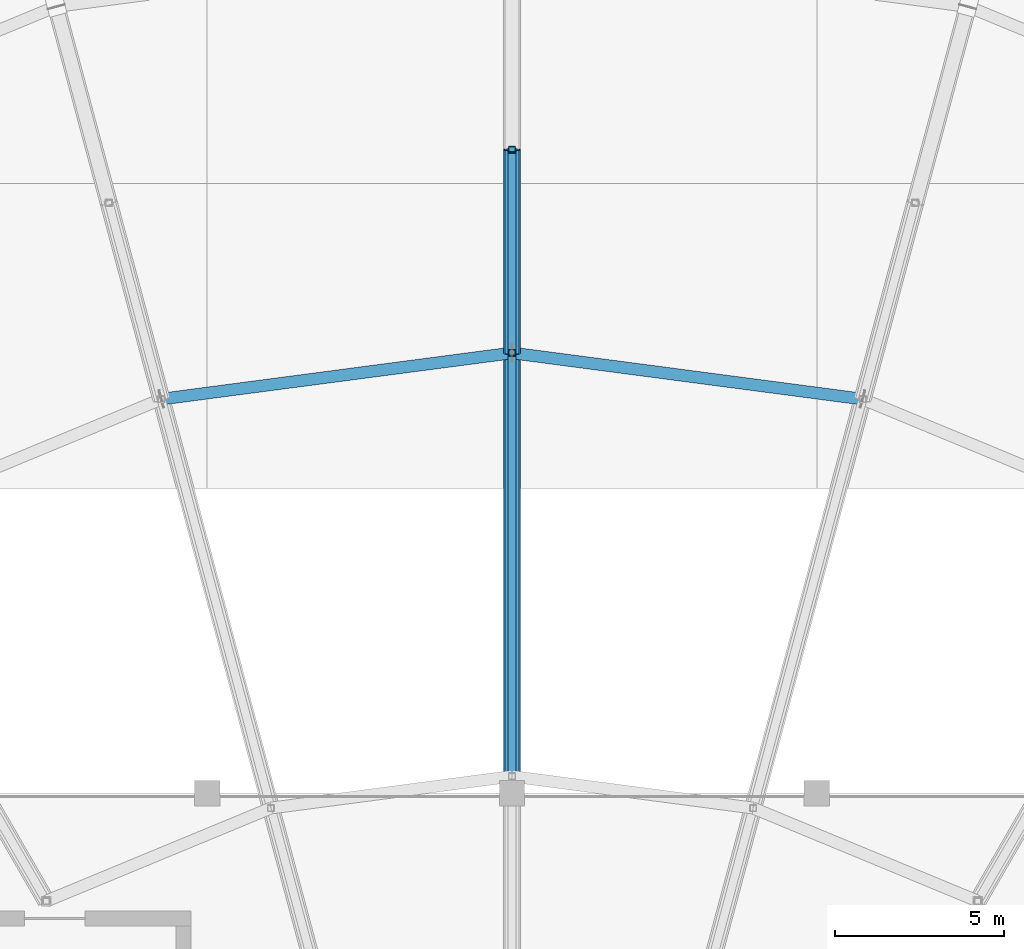
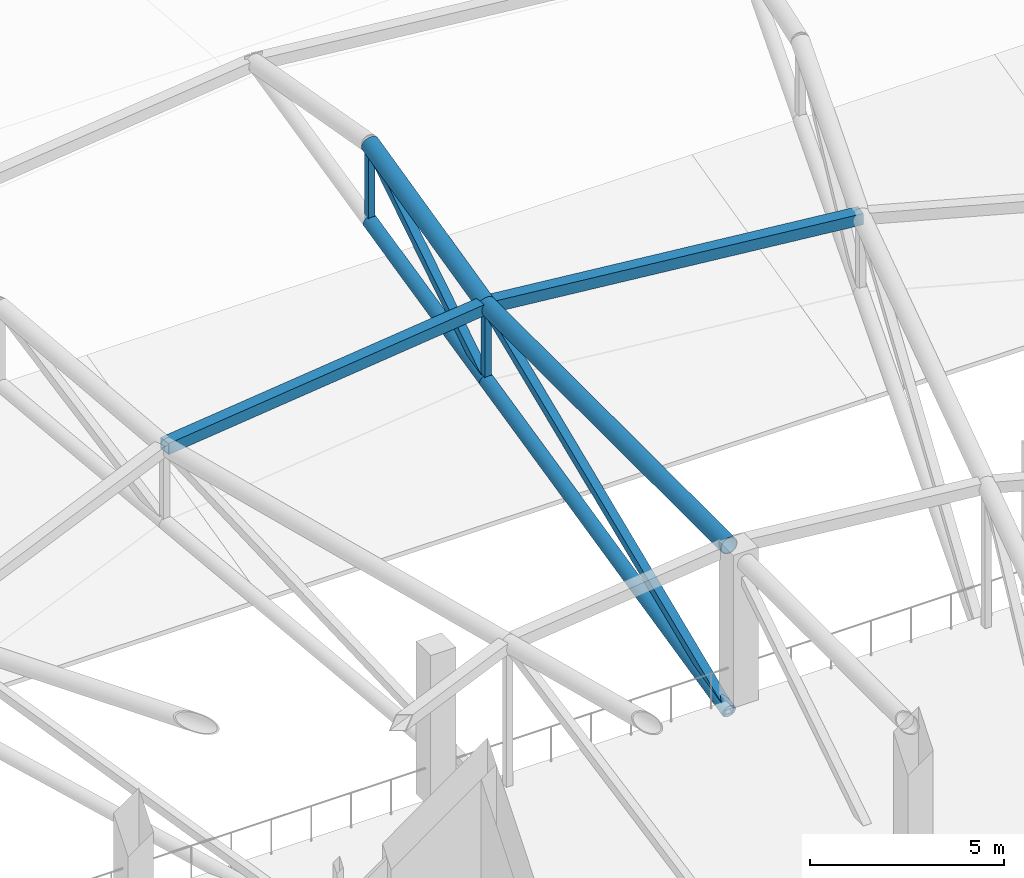
# One storey, part 77 of 167: 10 members.
"""IFC4 building model written with IfcOpenShell, lengths in metres."""

from ifc_helpers import new_model, si_unit, direction, frame, origin, origin_2d, place, context, subcontext, project, spatial, hollow_rectangle, hollow_circle, extrude, material, material_profile, profile_set, type_object, element, save


model = new_model("IFC4")

# Units and contexts
model_context = context("Model", 3, precision=1e-05, world=origin(), true_north=direction((0.0, 1.0)))
body_context = subcontext(model_context, "Body", "Model", "MODEL_VIEW")
ifc_project = project(units=[si_unit("LENGTHUNIT", "METRE"), si_unit("AREAUNIT", "SQUARE_METRE"), si_unit("VOLUMEUNIT", "CUBIC_METRE"), si_unit("PLANEANGLEUNIT", "RADIAN"), si_unit("MASSUNIT", "GRAM", prefix="KILO")], contexts=[model_context])

# Site, building, storey
site_placement = place(None, origin())
site = spatial("IfcSite", under=ifc_project, at=site_placement, CompositionType="ELEMENT")
building_placement = place(site_placement, origin())
building = spatial("IfcBuilding", under=site, at=building_placement, Name="Dornveld Trade and Exhibition Forum", CompositionType="ELEMENT")
storey_placement = place(building_placement, frame((0.0, 0.0, 16.800048828125)))
storey = spatial("IfcBuildingStorey", under=building, at=storey_placement, Name="L03", CompositionType="ELEMENT", Elevation=16.800048828125)

# Members
ifc_material_1 = material(Name="Steel S355J2", Category="steel")
ifc_material_profile_1 = material_profile(ifc_material_1, hollow_circle(Radius=0.203125, WallThickness=0.02001953125, at=origin_2d()), Name="CHS 406.4x20")
ifc_profile_set_1 = profile_set([ifc_material_profile_1], Name="Steel S355J2")
member_type_1 = type_object("IfcMemberType", Name="MEM-DISC-BC", PredefinedType="CHORD", material=ifc_profile_set_1)
member_1_placement = place(storey_placement, frame((117.0, 108.5, -0.76220703125), z_axis=(0.0, 0.975183720687, 0.221397179087), x_axis=(-1.0, 0.0, 0.0)))
element("IfcMember", 1, at=member_1_placement, inside=storey, type_object=member_type_1, Name="Roof disc radial R07 conical bottom chord 2", PredefinedType="CHORD", context=body_context, shape_type="SweptSolid", body=[
    extrude(hollow_circle(Radius=0.203125, WallThickness=0.02001953125, at=origin_2d()), origin(), (0.0, 0.0, 1.0), 12.818115234375),
])
member_2_placement = place(storey_placement, frame((117.0, 121.0, 2.07568359375), z_axis=(0.0, 0.975188175401, 0.221377556582), x_axis=(-1.0, 0.0, 0.0)))
element("IfcMember", 2, at=member_2_placement, inside=storey, type_object=member_type_1, Name="Roof disc radial R07 conical bottom chord 3", PredefinedType="CHORD", context=body_context, shape_type="SweptSolid", body=[
    extrude(hollow_circle(Radius=0.203125, WallThickness=0.02001953125, at=origin_2d()), origin(), (0.0, 0.0, 1.0), 6.152587890625),
])
ifc_material_2 = material(Name="Steel S355J2", Category="steel")
ifc_material_profile_2 = material_profile(ifc_material_2, hollow_rectangle(XDim=0.35009765625, YDim=0.35009765625, WallThickness=0.01611328125, at=origin_2d()), Name="SHS 350x350x16")
ifc_profile_set_2 = profile_set([ifc_material_profile_2], Name="Steel S355J2")
member_type_2 = type_object("IfcMemberType", Name="MEM-DISC-RING", PredefinedType="CHORD", material=ifc_profile_set_2)
for number, where, z_axis, x_axis, name in (
    (3, (127.352783203125, 119.636962890625, 4.449951171875), (-0.991444026761, 0.130532531574, 0.0), (-0.130532531574, -0.991444026761, 0.0), "Roof disc ring 3 chord 6"),
    (4, (117.0, 121.0, 4.449951171875), (-0.991444026761, -0.130532531574, 0.0), (0.130532531574, -0.991444026761, 0.0), "Roof disc ring 3 chord 7"),
):
    element("IfcMember", number, at=place(storey_placement, frame(where, z_axis=z_axis, x_axis=x_axis)), inside=storey, type_object=member_type_2, Name=name, PredefinedType="CHORD", context=body_context, shape_type="SweptSolid", body=[
        extrude(hollow_rectangle(XDim=0.35009765625, YDim=0.35009765625, WallThickness=0.01611328125, at=origin_2d()), origin(), (0.0, 0.0, 1.0), 10.442138671875),
    ])
ifc_material_3 = material(Name="Steel S355J2", Category="steel")
ifc_material_profile_3 = material_profile(ifc_material_3, hollow_rectangle(XDim=0.199951171875, YDim=0.199951171875, WallThickness=0.010009765625, at=origin_2d()), Name="SHS 200x200x10")
ifc_profile_set_3 = profile_set([ifc_material_profile_3], Name="Steel S355J2")
member_type_3 = type_object("IfcMemberType", Name="MEM-DISC-STR", PredefinedType="STRUT", material=ifc_profile_set_3)
member_3_placement = place(storey_placement, frame((117.0, 121.0, 2.07568359375), z_axis=(0.0, 0.0, 1.0), x_axis=(1.0, 0.0, 0.0)))
element("IfcMember", 5, at=member_3_placement, inside=storey, type_object=member_type_3, Name="Roof disc radial R07 strut 3", PredefinedType="STRUT", context=body_context, shape_type="SweptSolid", body=[
    extrude(hollow_rectangle(XDim=0.199951171875, YDim=0.199951171875, WallThickness=0.010009765625, at=origin_2d()), origin(), (0.0, 0.0, 1.0), 2.374267578125),
])
member_4_placement = place(storey_placement, frame((117.0, 127.0, 3.437744140625), z_axis=(0.0, 0.0, 1.0), x_axis=(1.0, 0.0, 0.0)))
element("IfcMember", 6, at=member_4_placement, inside=storey, type_object=member_type_3, Name="Roof disc radial R07 strut 4", PredefinedType="STRUT", context=body_context, shape_type="SweptSolid", body=[
    extrude(hollow_rectangle(XDim=0.199951171875, YDim=0.199951171875, WallThickness=0.010009765625, at=origin_2d()), origin(), (0.0, 0.0, 1.0), 2.437255859375),
])
ifc_material_4 = material(Name="Steel S355J2", Category="steel")
ifc_material_profile_4 = material_profile(ifc_material_4, hollow_circle(Radius=0.25390625, WallThickness=0.02490234375, at=origin_2d()), Name="CHS 508x25")
ifc_profile_set_4 = profile_set([ifc_material_profile_4], Name="Steel S355J2")
member_type_4 = type_object("IfcMemberType", Name="MEM-DISC-TC", PredefinedType="CHORD", material=ifc_profile_set_4)
member_5_placement = place(storey_placement, frame((117.0, 108.5, 4.449951171875), z_axis=(0.0, 1.0, 0.0), x_axis=(-1.0, 0.0, 0.0)))
element("IfcMember", 7, at=member_5_placement, inside=storey, type_object=member_type_4, Name="Roof disc radial R07 top chord 2", PredefinedType="CHORD", context=body_context, shape_type="SweptSolid", body=[
    extrude(hollow_circle(Radius=0.25390625, WallThickness=0.02490234375, at=origin_2d()), origin(), (0.0, 0.0, 1.0), 12.5),
])
member_6_placement = place(storey_placement, frame((117.0, 121.0, 4.449951171875), z_axis=(0.0, 0.972934770629, 0.231079925788), x_axis=(-1.0, 0.0, 0.0)))
element("IfcMember", 8, at=member_6_placement, inside=storey, type_object=member_type_4, Name="Roof disc radial R07 top chord 3", PredefinedType="CHORD", context=body_context, shape_type="SweptSolid", body=[
    extrude(hollow_circle(Radius=0.25390625, WallThickness=0.02490234375, at=origin_2d()), origin(), (0.0, 0.0, 1.0), 6.1669921875),
])
ifc_material_5 = material(Name="Steel S355J2", Category="steel")
ifc_material_profile_5 = material_profile(ifc_material_5, hollow_rectangle(XDim=0.25, YDim=0.25, WallThickness=0.012451171875, at=origin_2d()), Name="SHS 250x250x12.5")
ifc_profile_set_5 = profile_set([ifc_material_profile_5], Name="Steel S355J2")
member_type_5 = type_object("IfcMemberType", Name="MEM-DISC-WEB", PredefinedType="BRACE", material=ifc_profile_set_5)
member_7_placement = place(storey_placement, frame((117.0, 108.5, -0.76220703125), z_axis=(0.0, 0.922976623816, 0.384856014489), x_axis=(-1.0, 0.0, 0.0)))
element("IfcMember", 9, at=member_7_placement, inside=storey, type_object=member_type_5, Name="Roof disc radial R07 web 2", PredefinedType="BRACE", context=body_context, shape_type="SweptSolid", body=[
    extrude(hollow_rectangle(XDim=0.25, YDim=0.25, WallThickness=0.012451171875, at=origin_2d()), origin(), (0.0, 0.0, 1.0), 13.543212890625),
])
member_8_placement = place(storey_placement, frame((117.0, 121.0, 2.07568359375), z_axis=(0.0, 0.844862583121, 0.534983378846), x_axis=(-1.0, 0.0, 0.0)))
element("IfcMember", 10, at=member_8_placement, inside=storey, type_object=member_type_5, Name="Roof disc radial R07 web 3", PredefinedType="BRACE", context=body_context, shape_type="SweptSolid", body=[
    extrude(hollow_rectangle(XDim=0.25, YDim=0.25, WallThickness=0.012451171875, at=origin_2d()), origin(), (0.0, 0.0, 1.0), 7.101806640625),
])

save(model, "model.ifc")
